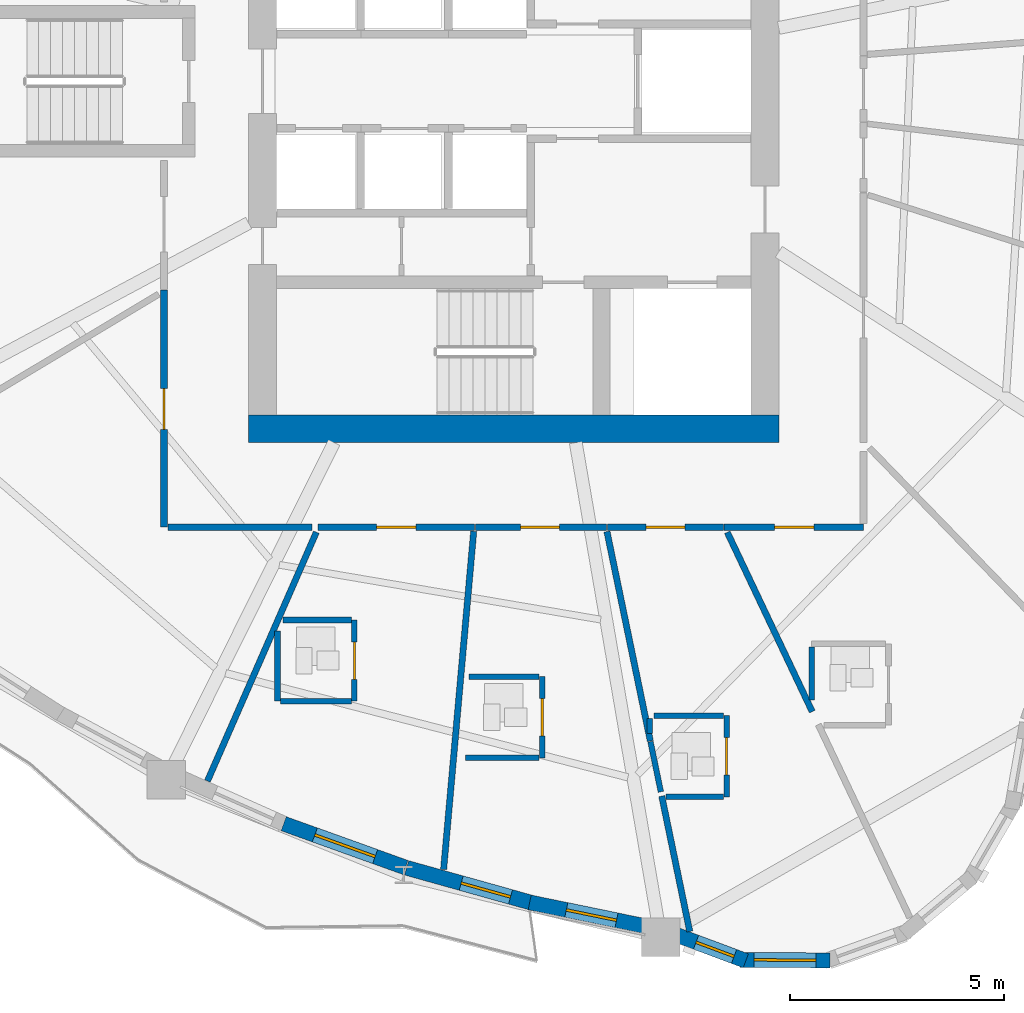
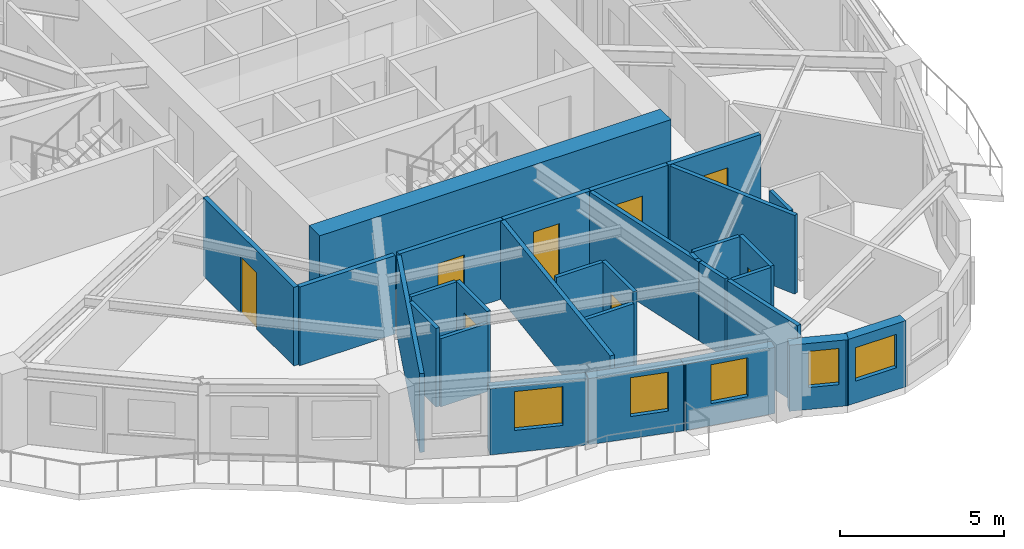
# One storey, part 6 of 16: 30 walls, 8 doors, 5 windows, 13 openings.
"""IFC4 building model written with IfcOpenShell, lengths in metres."""

from ifc_helpers import new_model, si_unit, direction, frame, frame_2d, origin, place, context, subcontext, project, spatial, rectangle, extrude, source, transform, mapped, material, layer, layer_set, type_object, element, fill, save


model = new_model("IFC4")

# Units and contexts
model_context = context("Model", 3, precision=1e-05, world=origin(), true_north=direction((0.0, 1.0)))
body_context = subcontext(model_context, "Body", "Model", "MODEL_VIEW")
ifc_project = project(units=[si_unit("LENGTHUNIT", "METRE"), si_unit("AREAUNIT", "SQUARE_METRE"), si_unit("VOLUMEUNIT", "CUBIC_METRE"), si_unit("PLANEANGLEUNIT", "RADIAN"), si_unit("MASSUNIT", "GRAM", prefix="KILO")], contexts=[model_context])

# Site, building, storey
site_placement = place(None, origin())
site = spatial("IfcSite", under=ifc_project, at=site_placement, CompositionType="ELEMENT")
building_placement = place(site_placement, origin())
building = spatial("IfcBuilding", under=site, at=building_placement, Name="Qafzar Sky-Pleat Residences", CompositionType="ELEMENT")
storey_placement = place(building_placement, frame((0.0, 0.0, 80.0)))
storey = spatial("IfcBuildingStorey", under=building, at=storey_placement, Name="L23", CompositionType="ELEMENT", Elevation=80.0)

# Wall, opening, door
ifc_material_1 = material(Name="Acoustic gypsum plasterboard partition", Category="gypsum")
ifc_layer_1 = layer(ifc_material_1, 0.159912109375)
ifc_layer_set_1 = layer_set([ifc_layer_1], Name="Acoustic gypsum plasterboard partition")
wall_type_1 = type_object("IfcWallType", Name="PART-COR-160", PredefinedType="PARTITIONING", material=ifc_layer_set_1)
wall_1_placement = place(storey_placement, frame((22.169921875, 15.570068359375, 0.0), z_axis=(0.0, 0.0, 1.0), x_axis=(0.0, 1.0, 0.0)))
wall_1 = element("IfcWall", 1, at=wall_1_placement, inside=storey, type_object=wall_type_1, Name="L23 Partition Wall PART-L23-PW-003", PredefinedType="PARTITIONING", context=body_context, shape_type="SweptSolid", body=[
    extrude(rectangle(XDim=5.54296875, YDim=0.159912109375, at=frame_2d((2.771484375, 0.0))), origin(), (0.0, 0.0, 1.0), 2.93505859375),
])
opening_1_placement = place(wall_1_placement, frame((2.282958984375, 0.0, 0.0)))
opening_1 = element("IfcOpeningElement", 2, at=opening_1_placement, cuts=wall_1, Name="Opening ID-06", PredefinedType="OPENING", context=body_context, shape_type="SweptSolid", body=[
    extrude(rectangle(XDim=0.9599609375, YDim=2.10009765625, at=frame_2d((0.47998046875, 1.050048828125))), frame((0.0, 0.08984375, 0.0), z_axis=(0.0, -1.0, 0.0), x_axis=(1.0, 0.0, 0.0)), (0.0, 0.0, 1.0), 0.179931640625),
])
ifc_material_2 = material(Name="Timber-faced fire door", Category="wood")
door_type_1 = type_object("IfcDoorType", Name="DR-STD-960", OperationType="NOTDEFINED", PredefinedType="DOOR", material=ifc_material_2)
shared_shape_1 = source(origin(), body_context, "Body", "SweptSolid", [
    extrude(rectangle(XDim=0.9599609375, YDim=2.10009765625, at=frame_2d((0.47998046875, 1.050048828125))), frame((0.0, 0.02490234375, 0.0), z_axis=(0.0, -1.0, 0.0), x_axis=(1.0, 0.0, 0.0)), (0.0, 0.0, 1.0), 0.050048828125),
])
door_1_placement = place(opening_1_placement, origin())
door_1 = element("IfcDoor", 3, at=door_1_placement, inside=storey, type_object=door_type_1, Name="L23 Scholar Co-Working Workspace Door", OperationType="SINGLE_SWING_LEFT", OverallHeight=2.10009765625, OverallWidth=0.9599609375, PredefinedType="DOOR", context=body_context, shape_type="MappedRepresentation", body=[
    mapped(shared_shape_1, transform((0.0, 0.0, 0.0), x_axis=(1.0, 0.0, 0.0), y_axis=(0.0, 1.0, 0.0), z_axis=(0.0, 0.0, 1.0), scale=1.0)),
])
fill(opening_1, door_1)

wall_2_placement = place(storey_placement, frame((29.43798828125, 15.570068359375, 0.0), z_axis=(0.0, 0.0, 1.0), x_axis=(-1.0, 0.0, 0.0)))
wall_2 = element("IfcWall", 4, at=wall_2_placement, inside=storey, type_object=wall_type_1, Name="L23 Partition Wall PART-L23-PW-009", PredefinedType="PARTITIONING", context=body_context, shape_type="SweptSolid", body=[
    extrude(rectangle(XDim=3.669921875, YDim=0.159912109375, at=frame_2d((1.8349609375, 0.0))), origin(), (0.0, 0.0, 1.0), 2.93505859375),
])
opening_2_placement = place(wall_2_placement, frame((1.3740234375, 0.0, 0.0)))
opening_2 = element("IfcOpeningElement", 5, at=opening_2_placement, cuts=wall_2, Name="Opening ID-04", PredefinedType="OPENING", context=body_context, shape_type="SweptSolid", body=[
    extrude(rectangle(XDim=0.919921875, YDim=2.10009765625, at=frame_2d((0.4599609375, 1.050048828125))), frame((0.0, 0.08984375, 0.0), z_axis=(0.0, -1.0, 0.0), x_axis=(1.0, 0.0, 0.0)), (0.0, 0.0, 1.0), 0.179931640625),
])
door_type_2 = type_object("IfcDoorType", Name="DR-BED-920", OperationType="NOTDEFINED", PredefinedType="DOOR", material=ifc_material_2)
shared_shape_2 = source(origin(), body_context, "Body", "SweptSolid", [
    extrude(rectangle(XDim=0.919921875, YDim=2.10009765625, at=frame_2d((0.4599609375, 1.050048828125))), frame((0.0, 0.02490234375, 0.0), z_axis=(0.0, -1.0, 0.0), x_axis=(1.0, 0.0, 0.0)), (0.0, 0.0, 1.0), 0.050048828125),
])
door_2_placement = place(opening_2_placement, origin())
door_2 = element("IfcDoor", 6, at=door_2_placement, inside=storey, type_object=door_type_2, Name="L23 Co-Living Bedroom 1 Door", OperationType="SINGLE_SWING_RIGHT", OverallHeight=2.10009765625, OverallWidth=0.919921875, PredefinedType="DOOR", context=body_context, shape_type="MappedRepresentation", body=[
    mapped(shared_shape_2, transform((0.0, 0.0, 0.0), x_axis=(1.0, 0.0, 0.0), y_axis=(0.0, 1.0, 0.0), z_axis=(0.0, 0.0, 1.0), scale=1.0)),
])
fill(opening_2, door_2)

wall_3_placement = place(storey_placement, frame((38.530029296875, 15.570068359375, 0.0), z_axis=(0.0, 0.0, 1.0), x_axis=(-1.0, 0.0, 0.0)))
wall_3 = element("IfcWall", 7, at=wall_3_placement, inside=storey, type_object=wall_type_1, Name="L23 Partition Wall PART-L23-PW-011", PredefinedType="PARTITIONING", context=body_context, shape_type="SweptSolid", body=[
    extrude(rectangle(XDim=3.257080078125, YDim=0.159912109375, at=frame_2d((1.62841796875, 0.0))), origin(), (0.0, 0.0, 1.0), 2.93505859375),
])
opening_3_placement = place(wall_3_placement, frame((1.159912109375, 0.0, 0.0)))
opening_3 = element("IfcOpeningElement", 8, at=opening_3_placement, cuts=wall_3, Name="Opening ID-04", PredefinedType="OPENING", context=body_context, shape_type="SweptSolid", body=[
    extrude(rectangle(XDim=0.919921875, YDim=2.10009765625, at=frame_2d((0.4599609375, 1.050048828125))), frame((0.0, 0.08984375, 0.0), z_axis=(0.0, -1.0, 0.0), x_axis=(1.0, 0.0, 0.0)), (0.0, 0.0, 1.0), 0.179931640625),
])
door_3_placement = place(opening_3_placement, origin())
door_3 = element("IfcDoor", 9, at=door_3_placement, inside=storey, type_object=door_type_2, Name="L23 Co-Living Bedroom 4 Door", OperationType="SINGLE_SWING_RIGHT", OverallHeight=2.10009765625, OverallWidth=0.919921875, PredefinedType="DOOR", context=body_context, shape_type="MappedRepresentation", body=[
    mapped(shared_shape_2, transform((0.0, 0.0, 0.0), x_axis=(1.0, 0.0, 0.0), y_axis=(0.0, 1.0, 0.0), z_axis=(0.0, 0.0, 1.0), scale=1.0)),
])
fill(opening_3, door_3)

wall_4_placement = place(storey_placement, frame((32.52490234375, 15.570068359375, 0.0), z_axis=(0.0, 0.0, 1.0), x_axis=(-1.0, 0.0, 0.0)))
wall_4 = element("IfcWall", 10, at=wall_4_placement, inside=storey, type_object=wall_type_1, Name="L23 Partition Wall PART-L23-PW-013", PredefinedType="PARTITIONING", context=body_context, shape_type="SweptSolid", body=[
    extrude(rectangle(XDim=3.072021484375, YDim=0.159912109375, at=frame_2d((1.5361328125, 0.0))), origin(), (0.0, 0.0, 1.0), 2.93505859375),
])
opening_4_placement = place(wall_4_placement, frame((1.098388671875, 0.0, 0.0)))
opening_4 = element("IfcOpeningElement", 11, at=opening_4_placement, cuts=wall_4, Name="Opening ID-04", PredefinedType="OPENING", context=body_context, shape_type="SweptSolid", body=[
    extrude(rectangle(XDim=0.919921875, YDim=2.10009765625, at=frame_2d((0.4599609375, 1.050048828125))), frame((0.0, 0.08984375, 0.0), z_axis=(0.0, -1.0, 0.0), x_axis=(1.0, 0.0, 0.0)), (0.0, 0.0, 1.0), 0.179931640625),
])
door_4_placement = place(opening_4_placement, origin())
door_4 = element("IfcDoor", 12, at=door_4_placement, inside=storey, type_object=door_type_2, Name="L23 Co-Living Bedroom 2 Door", OperationType="SINGLE_SWING_LEFT", OverallHeight=2.10009765625, OverallWidth=0.919921875, PredefinedType="DOOR", context=body_context, shape_type="MappedRepresentation", body=[
    mapped(shared_shape_2, transform((0.0, 0.0, 0.0), x_axis=(1.0, 0.0, 0.0), y_axis=(0.0, 1.0, 0.0), z_axis=(0.0, 0.0, 1.0), scale=1.0)),
])
fill(opening_4, door_4)

wall_5_placement = place(storey_placement, frame((35.258056640625, 15.570068359375, 0.0), z_axis=(0.0, 0.0, 1.0), x_axis=(-1.0, 0.0, 0.0)))
wall_5 = element("IfcWall", 13, at=wall_5_placement, inside=storey, type_object=wall_type_1, Name="L23 Partition Wall PART-L23-PW-016", PredefinedType="PARTITIONING", context=body_context, shape_type="SweptSolid", body=[
    extrude(rectangle(XDim=2.718017578125, YDim=0.159912109375, at=frame_2d((1.35888671875, 0.0))), origin(), (0.0, 0.0, 1.0), 2.93505859375),
])
opening_5_placement = place(wall_5_placement, frame((0.89794921875, 0.0, 0.0)))
opening_5 = element("IfcOpeningElement", 14, at=opening_5_placement, cuts=wall_5, Name="Opening ID-04", PredefinedType="OPENING", context=body_context, shape_type="SweptSolid", body=[
    extrude(rectangle(XDim=0.919921875, YDim=2.10009765625, at=frame_2d((0.4599609375, 1.050048828125))), frame((0.0, 0.08984375, 0.0), z_axis=(0.0, -1.0, 0.0), x_axis=(1.0, 0.0, 0.0)), (0.0, 0.0, 1.0), 0.179931640625),
])
door_5_placement = place(opening_5_placement, origin())
door_5 = element("IfcDoor", 15, at=door_5_placement, inside=storey, type_object=door_type_2, Name="L23 Co-Living Bedroom 3 Door", OperationType="SINGLE_SWING_RIGHT", OverallHeight=2.10009765625, OverallWidth=0.919921875, PredefinedType="DOOR", context=body_context, shape_type="MappedRepresentation", body=[
    mapped(shared_shape_2, transform((0.0, 0.0, 0.0), x_axis=(1.0, 0.0, 0.0), y_axis=(0.0, 1.0, 0.0), z_axis=(0.0, 0.0, 1.0), scale=1.0)),
])
fill(opening_5, door_5)

# Walls
wall_6_placement = place(storey_placement, frame((22.258056640625, 15.570068359375, 0.0), z_axis=(0.0, 0.0, 1.0), x_axis=(1.0, 0.0, 0.0)))
element("IfcWall", 16, at=wall_6_placement, inside=storey, type_object=wall_type_1, Name="L23 Partition Wall PART-L23-PW-043", PredefinedType="PARTITIONING", context=body_context, shape_type="SweptSolid", body=[
    extrude(rectangle(XDim=3.372802734375, YDim=0.159912109375, at=frame_2d((1.6865234375, 0.0))), origin(), (0.0, 0.0, 1.0), 2.93505859375),
])
ifc_layer_2 = layer(ifc_material_1, 0.14501953125)
ifc_layer_set_2 = layer_set([ifc_layer_2], Name="Acoustic gypsum plasterboard partition")
wall_type_2 = type_object("IfcWallType", Name="PART-UNIT-145", PredefinedType="PARTITIONING", material=ifc_layer_set_2)
wall_7_placement = place(storey_placement, frame((28.710693359375, 7.56396484375, 0.0), z_axis=(0.0, 0.0, 1.0), x_axis=(0.088615013812, 0.996065951294, 0.0)))
element("IfcWall", 17, at=wall_7_placement, inside=storey, type_object=wall_type_2, Name="L23 Partition Wall PART-L23-PW-028", PredefinedType="PARTITIONING", context=body_context, shape_type="SweptSolid", body=[
    extrude(rectangle(XDim=7.94287109375, YDim=0.14501953125, at=frame_2d((3.971435546875, 0.0))), origin(), (0.0, 0.0, 1.0), 2.93505859375),
])
wall_8_placement = place(storey_placement, frame((23.186279296875, 9.633544921875, 0.0), z_axis=(0.0, 0.0, 1.0), x_axis=(0.400994208685, 0.916080588486, 0.0)))
element("IfcWall", 18, at=wall_8_placement, inside=storey, type_object=wall_type_2, Name="L23 Partition Wall PART-L23-PW-033", PredefinedType="PARTITIONING", context=body_context, shape_type="SweptSolid", body=[
    extrude(rectangle(XDim=6.353271484375, YDim=0.14501953125, at=frame_2d((3.1767578125, 0.0))), origin(), (0.0, 0.0, 1.0), 2.93505859375),
])
wall_9_placement = place(storey_placement, frame((32.53125, 15.467529296875, 0.0), z_axis=(0.0, 0.0, 1.0), x_axis=(0.202792769077, -0.979221677053, 0.0)))
element("IfcWall", 19, at=wall_9_placement, inside=storey, type_object=wall_type_2, Name="L23 Partition Wall PART-L23-PW-038", PredefinedType="PARTITIONING", context=body_context, shape_type="SweptSolid", body=[
    extrude(rectangle(XDim=5.00341796875, YDim=0.14501953125, at=frame_2d((2.501708984375, 0.0))), origin(), (0.0, 0.0, 1.0), 2.93505859375),
])
wall_10_placement = place(storey_placement, frame((35.345947265625, 15.45166015625, 0.0), z_axis=(0.0, 0.0, 1.0), x_axis=(0.428023015228, -0.903767834366, 0.0)))
element("IfcWall", 20, at=wall_10_placement, inside=storey, type_object=wall_type_2, Name="L23 Partition Wall PART-L23-PW-040", PredefinedType="PARTITIONING", context=body_context, shape_type="SweptSolid", body=[
    extrude(rectangle(XDim=4.64013671875, YDim=0.14501953125, at=frame_2d((2.320068359375, 0.0))), origin(), (0.0, 0.0, 1.0), 2.93505859375),
])
wall_11_placement = place(storey_placement, frame((33.81298828125, 9.280029296875, 0.0), z_axis=(0.0, 0.0, 1.0), x_axis=(0.202648062782, -0.979251633979, 0.0)))
element("IfcWall", 21, at=wall_11_placement, inside=storey, type_object=wall_type_2, Name="L23 Partition Wall PART-L23-PW-046", PredefinedType="PARTITIONING", context=body_context, shape_type="SweptSolid", body=[
    extrude(rectangle(XDim=3.232421875, YDim=0.14501953125, at=frame_2d((1.6162109375, 0.0))), origin(), (0.0, 0.0, 1.0), 2.93505859375),
])

# Wall, opening, door
ifc_material_3 = material(Name="Moisture-resistant gypsum partition", Category="gypsum")
ifc_layer_3 = layer(ifc_material_3, 0.1298828125)
ifc_layer_set_3 = layer_set([ifc_layer_3], Name="Moisture-resistant gypsum partition")
wall_type_3 = type_object("IfcWallType", Name="PART-WET-130", PredefinedType="PARTITIONING", material=ifc_layer_set_3)
wall_12_placement = place(storey_placement, frame((26.625, 11.5, 0.0), z_axis=(0.0, 0.0, 1.0), x_axis=(0.0, 1.0, 0.0)))
wall_12 = element("IfcWall", 22, at=wall_12_placement, inside=storey, type_object=wall_type_3, Name="L23 Partition Wall PART-L23-PW-018", PredefinedType="PARTITIONING", context=body_context, shape_type="SweptSolid", body=[
    extrude(rectangle(XDim=1.89990234375, YDim=0.1298828125, at=frame_2d((0.949951171875, 0.0))), origin(), (0.0, 0.0, 1.0), 2.93505859375),
])
opening_6_placement = place(wall_12_placement, frame((0.510009765625, 0.0, 0.0)))
opening_6 = element("IfcOpeningElement", 23, at=opening_6_placement, cuts=wall_12, Name="Opening ID-07", PredefinedType="OPENING", context=body_context, shape_type="SweptSolid", body=[
    extrude(rectangle(XDim=0.8798828125, YDim=2.050048828125, at=frame_2d((0.43994140625, 1.02490234375))), frame((0.0, 0.074951171875, 0.0), z_axis=(0.0, -1.0, 0.0), x_axis=(1.0, 0.0, 0.0)), (0.0, 0.0, 1.0), 0.14990234375),
])
door_type_3 = type_object("IfcDoorType", Name="DR-WET-880", OperationType="NOTDEFINED", PredefinedType="DOOR", material=ifc_material_2)
shared_shape_3 = source(origin(), body_context, "Body", "SweptSolid", [
    extrude(rectangle(XDim=0.8798828125, YDim=2.050048828125, at=frame_2d((0.43994140625, 1.02490234375))), frame((0.0, 0.02490234375, 0.0), z_axis=(0.0, -1.0, 0.0), x_axis=(1.0, 0.0, 0.0)), (0.0, 0.0, 1.0), 0.050048828125),
])
door_6_placement = place(opening_6_placement, origin())
door_6 = element("IfcDoor", 24, at=door_6_placement, inside=storey, type_object=door_type_3, Name="L23 En-suite Bathroom 1 Door", OperationType="SINGLE_SWING_RIGHT", OverallHeight=2.050048828125, OverallWidth=0.8798828125, PredefinedType="DOOR", context=body_context, shape_type="MappedRepresentation", body=[
    mapped(shared_shape_3, transform((0.0, 0.0, 0.0), x_axis=(1.0, 0.0, 0.0), y_axis=(0.0, 1.0, 0.0), z_axis=(0.0, 0.0, 1.0), scale=1.0)),
])
fill(opening_6, door_6)

wall_13_placement = place(storey_placement, frame((31.01806640625, 10.174072265625, 0.0), z_axis=(0.0, 0.0, 1.0), x_axis=(0.0, 1.0, 0.0)))
wall_13 = element("IfcWall", 25, at=wall_13_placement, inside=storey, type_object=wall_type_3, Name="L23 Partition Wall PART-L23-PW-019", PredefinedType="PARTITIONING", context=body_context, shape_type="SweptSolid", body=[
    extrude(rectangle(XDim=1.89990234375, YDim=0.1298828125, at=frame_2d((0.949951171875, 0.0))), origin(), (0.0, 0.0, 1.0), 2.93505859375),
])
opening_7_placement = place(wall_13_placement, frame((0.510009765625, 0.0, 0.0)))
opening_7 = element("IfcOpeningElement", 26, at=opening_7_placement, cuts=wall_13, Name="Opening ID-07", PredefinedType="OPENING", context=body_context, shape_type="SweptSolid", body=[
    extrude(rectangle(XDim=0.8798828125, YDim=2.050048828125, at=frame_2d((0.43994140625, 1.02490234375))), frame((0.0, 0.074951171875, 0.0), z_axis=(0.0, -1.0, 0.0), x_axis=(1.0, 0.0, 0.0)), (0.0, 0.0, 1.0), 0.14990234375),
])
door_7_placement = place(opening_7_placement, origin())
door_7 = element("IfcDoor", 27, at=door_7_placement, inside=storey, type_object=door_type_3, Name="L23 En-suite Bathroom 2 Door", OperationType="SINGLE_SWING_LEFT", OverallHeight=2.050048828125, OverallWidth=0.8798828125, PredefinedType="DOOR", context=body_context, shape_type="MappedRepresentation", body=[
    mapped(shared_shape_3, transform((0.0, 0.0, 0.0), x_axis=(1.0, 0.0, 0.0), y_axis=(0.0, 1.0, 0.0), z_axis=(0.0, 0.0, 1.0), scale=1.0)),
])
fill(opening_7, door_7)

wall_14_placement = place(storey_placement, frame((35.3310546875, 9.264892578125, 0.0), z_axis=(0.0, 0.0, 1.0), x_axis=(0.0, 1.0, 0.0)))
wall_14 = element("IfcWall", 28, at=wall_14_placement, inside=storey, type_object=wall_type_3, Name="L23 Partition Wall PART-L23-PW-021", PredefinedType="PARTITIONING", context=body_context, shape_type="SweptSolid", body=[
    extrude(rectangle(XDim=1.900146484375, YDim=0.1298828125, at=frame_2d((0.9501953125, 0.0))), origin(), (0.0, 0.0, 1.0), 2.93505859375),
])
opening_8_placement = place(wall_14_placement, frame((0.510009765625, 0.0, 0.0)))
opening_8 = element("IfcOpeningElement", 29, at=opening_8_placement, cuts=wall_14, Name="Opening ID-07", PredefinedType="OPENING", context=body_context, shape_type="SweptSolid", body=[
    extrude(rectangle(XDim=0.8798828125, YDim=2.050048828125, at=frame_2d((0.43994140625, 1.02490234375))), frame((0.0, 0.074951171875, 0.0), z_axis=(0.0, -1.0, 0.0), x_axis=(1.0, 0.0, 0.0)), (0.0, 0.0, 1.0), 0.14990234375),
])
door_8_placement = place(opening_8_placement, origin())
door_8 = element("IfcDoor", 30, at=door_8_placement, inside=storey, type_object=door_type_3, Name="L23 En-suite Bathroom 3 Door", OperationType="SINGLE_SWING_LEFT", OverallHeight=2.050048828125, OverallWidth=0.8798828125, PredefinedType="DOOR", context=body_context, shape_type="MappedRepresentation", body=[
    mapped(shared_shape_3, transform((0.0, 0.0, 0.0), x_axis=(1.0, 0.0, 0.0), y_axis=(0.0, 1.0, 0.0), z_axis=(0.0, 0.0, 1.0), scale=1.0)),
])
fill(opening_8, door_8)

# Walls
wall_15_placement = place(storey_placement, frame((24.824951171875, 11.5, 0.0), z_axis=(0.0, 0.0, 1.0), x_axis=(0.0, 1.0, 0.0)))
element("IfcWall", 31, at=wall_15_placement, inside=storey, type_object=wall_type_3, Name="L23 Partition Wall PART-L23-PW-050", PredefinedType="PARTITIONING", context=body_context, shape_type="SweptSolid", body=[
    extrude(rectangle(XDim=1.636962890625, YDim=0.1298828125, at=frame_2d((0.818359375, 0.0))), origin(), (0.0, 0.0, 1.0), 2.93505859375),
])
wall_16_placement = place(storey_placement, frame((33.62646484375, 11.1650390625, 0.0), z_axis=(0.0, 0.0, 1.0), x_axis=(1.0, 0.0, 0.0)))
element("IfcWall", 32, at=wall_16_placement, inside=storey, type_object=wall_type_3, Name="L23 Partition Wall PART-L23-PW-051", PredefinedType="PARTITIONING", context=body_context, shape_type="SweptSolid", body=[
    extrude(rectangle(XDim=1.631591796875, YDim=0.1298828125, at=frame_2d((0.81591796875, 0.0))), origin(), (0.0, 0.0, 1.0), 2.93505859375),
])
wall_17_placement = place(storey_placement, frame((24.89794921875, 11.5, 0.0), z_axis=(0.0, 0.0, 1.0), x_axis=(1.0, 0.0, 0.0)))
element("IfcWall", 33, at=wall_17_placement, inside=storey, type_object=wall_type_3, Name="L23 Partition Wall PART-L23-PW-052", PredefinedType="PARTITIONING", context=body_context, shape_type="SweptSolid", body=[
    extrude(rectangle(XDim=1.654052734375, YDim=0.1298828125, at=frame_2d((0.8271484375, 0.0))), origin(), (0.0, 0.0, 1.0), 2.54296875),
])
wall_18_placement = place(storey_placement, frame((29.3046875, 12.073974609375, 0.0), z_axis=(0.0, 0.0, 1.0), x_axis=(1.0, 0.0, 0.0)))
element("IfcWall", 34, at=wall_18_placement, inside=storey, type_object=wall_type_3, Name="L23 Partition Wall PART-L23-PW-053", PredefinedType="PARTITIONING", context=body_context, shape_type="SweptSolid", body=[
    extrude(rectangle(XDim=1.640380859375, YDim=0.1298828125, at=frame_2d((0.8203125, 0.0))), origin(), (0.0, 0.0, 1.0), 2.93505859375),
])
wall_19_placement = place(storey_placement, frame((29.218017578125, 10.174072265625, 0.0), z_axis=(0.0, 0.0, 1.0), x_axis=(1.0, 0.0, 0.0)))
element("IfcWall", 35, at=wall_19_placement, inside=storey, type_object=wall_type_3, Name="L23 Partition Wall PART-L23-PW-054", PredefinedType="PARTITIONING", context=body_context, shape_type="SweptSolid", body=[
    extrude(rectangle(XDim=1.72705078125, YDim=0.1298828125, at=frame_2d((0.863525390625, 0.0))), origin(), (0.0, 0.0, 1.0), 2.54296875),
])
wall_20_placement = place(storey_placement, frame((24.95068359375, 13.39990234375, 0.0), z_axis=(0.0, 0.0, 1.0), x_axis=(1.0, 0.0, 0.0)))
element("IfcWall", 36, at=wall_20_placement, inside=storey, type_object=wall_type_3, Name="L23 Partition Wall PART-L23-PW-058", PredefinedType="PARTITIONING", context=body_context, shape_type="SweptSolid", body=[
    extrude(rectangle(XDim=1.601318359375, YDim=0.1298828125, at=frame_2d((0.80078125, 0.0))), origin(), (0.0, 0.0, 1.0), 2.93505859375),
])
wall_21_placement = place(storey_placement, frame((37.31689453125, 11.530029296875, 0.0), z_axis=(0.0, 0.0, 1.0), x_axis=(0.0, 1.0, 0.0)))
element("IfcWall", 37, at=wall_21_placement, inside=storey, type_object=wall_type_3, Name="L23 Partition Wall PART-L23-PW-060", PredefinedType="PARTITIONING", context=body_context, shape_type="SweptSolid", body=[
    extrude(rectangle(XDim=1.236083984375, YDim=0.1298828125, at=frame_2d((0.6181640625, 0.0))), origin(), (0.0, 0.0, 1.0), 2.93505859375),
])
wall_22_placement = place(storey_placement, frame((33.91162109375, 9.264892578125, 0.0), z_axis=(0.0, 0.0, 1.0), x_axis=(1.0, 0.0, 0.0)))
element("IfcWall", 38, at=wall_22_placement, inside=storey, type_object=wall_type_3, Name="L23 Partition Wall PART-L23-PW-061", PredefinedType="PARTITIONING", context=body_context, shape_type="SweptSolid", body=[
    extrude(rectangle(XDim=1.346435546875, YDim=0.1298828125, at=frame_2d((0.67333984375, 0.0))), origin(), (0.0, 0.0, 1.0), 2.93505859375),
])
wall_23_placement = place(storey_placement, frame((33.549072265625, 10.55322265625, 0.0), z_axis=(0.0, 0.0, 1.0), x_axis=(0.202855035592, -0.97920877985, 0.0)))
element("IfcWall", 39, at=wall_23_placement, inside=storey, type_object=wall_type_3, Name="L23 Partition Wall PART-L23-PW-067", PredefinedType="PARTITIONING", context=body_context, shape_type="SweptSolid", body=[
    extrude(rectangle(XDim=1.197509765625, YDim=0.1298828125, at=frame_2d((0.5986328125, 0.0))), origin(), (0.0, 0.0, 1.0), 2.93505859375),
])
wall_24_placement = place(storey_placement, frame((33.531005859375, 10.741943359375, 0.0), z_axis=(0.0, 0.0, 1.0), x_axis=(0.0, 1.0, 0.0)))
element("IfcWall", 40, at=wall_24_placement, inside=storey, type_object=wall_type_3, Name="L23 Partition Wall PART-L23-PW-071", PredefinedType="PARTITIONING", context=body_context, shape_type="SweptSolid", body=[
    extrude(rectangle(XDim=0.35009765625, YDim=0.1298828125, at=frame_2d((0.175048828125, 0.0))), origin(), (0.0, 0.0, 1.0), 2.93505859375),
])

# Wall, opening, window
ifc_material_4 = material(Name="Precast concrete C40/50 with honed Riyadh limestone", Category="concrete")
ifc_layer_4 = layer(ifc_material_4, 0.35009765625)
ifc_layer_set_4 = layer_set([ifc_layer_4], Name="Precast concrete C40/50 with honed Riyadh limestone")
wall_type_4 = type_object("IfcWallType", Name="WALL-EXT-350", PredefinedType="SOLIDWALL", material=ifc_layer_set_4)
wall_25_placement = place(storey_placement, frame((24.968994140625, 8.634765625, 0.0), z_axis=(0.0, 0.0, 1.0), x_axis=(0.941099972293, -0.338128440315, 0.0)))
wall_25 = element("IfcWall", 41, at=wall_25_placement, inside=storey, type_object=wall_type_4, Name="L23 Limestone Facade Wall 14", PredefinedType="SOLIDWALL", context=body_context, shape_type="SweptSolid", body=[
    extrude(rectangle(XDim=3.0283203125, YDim=0.35009765625, at=frame_2d((1.51416015625, 0.0))), origin(), (0.0, 0.0, 1.0), 2.465087890625),
])
opening_9_placement = place(wall_25_placement, frame((0.774169921875, 0.0, 0.820068359375)))
opening_9 = element("IfcOpeningElement", 42, at=opening_9_placement, cuts=wall_25, Name="Opening WN-03", PredefinedType="OPENING", context=body_context, shape_type="SweptSolid", body=[
    extrude(rectangle(XDim=1.5, YDim=1.449951171875, at=frame_2d((0.75, 0.72509765625))), frame((0.0, 0.18505859375, 0.0), z_axis=(0.0, -1.0, 0.0), x_axis=(1.0, 0.0, 0.0)), (0.0, 0.0, 1.0), 0.3701171875),
])
ifc_material_5 = material(Name="Solar-control low-E glass in bronze aluminium frame", Category="glass")
window_type_1 = type_object("IfcWindowType", Name="WIN-03", PartitioningType="DOUBLE_PANEL_VERTICAL", PredefinedType="WINDOW", material=ifc_material_5)
shared_shape_4 = source(origin(), body_context, "Body", "SweptSolid", [
    extrude(rectangle(XDim=1.5, YDim=1.449951171875, at=frame_2d((0.75, 0.72509765625))), frame((0.0, 0.030029296875, 0.0), z_axis=(0.0, -1.0, 0.0), x_axis=(1.0, 0.0, 0.0)), (0.0, 0.0, 1.0), 0.06005859375),
])
window_1_placement = place(opening_9_placement, origin())
window_1 = element("IfcWindow", 43, at=window_1_placement, inside=storey, type_object=window_type_1, Name="L23 Punched Facade Window 14", OverallHeight=1.449951171875, OverallWidth=1.5, PartitioningType="SINGLE_PANEL", PredefinedType="WINDOW", context=body_context, shape_type="MappedRepresentation", body=[
    mapped(shared_shape_4, transform((0.0, 0.0, 0.0), x_axis=(1.0, 0.0, 0.0), y_axis=(0.0, 1.0, 0.0), z_axis=(0.0, 0.0, 1.0), scale=1.0)),
])
fill(opening_9, window_1)

wall_26_placement = place(storey_placement, frame((27.844970703125, 7.6025390625, 0.0), z_axis=(0.0, 0.0, 1.0), x_axis=(0.963041412051, -0.269353371382, 0.0)))
wall_26 = element("IfcWall", 44, at=wall_26_placement, inside=storey, type_object=wall_type_4, Name="L23 Limestone Facade Wall 15", PredefinedType="SOLIDWALL", context=body_context, shape_type="SweptSolid", body=[
    extrude(rectangle(XDim=3.078125, YDim=0.35009765625, at=frame_2d((1.5390625, 0.0))), origin(), (0.0, 0.0, 1.0), 2.465087890625),
])
opening_10_placement = place(wall_26_placement, frame((1.32421875, 0.0, 0.820068359375)))
opening_10 = element("IfcOpeningElement", 45, at=opening_10_placement, cuts=wall_26, Name="Opening WN-05", PredefinedType="OPENING", context=body_context, shape_type="SweptSolid", body=[
    extrude(rectangle(XDim=1.199951171875, YDim=1.449951171875, at=frame_2d((0.60009765625, 0.72509765625))), frame((0.0, 0.18505859375, 0.0), z_axis=(0.0, -1.0, 0.0), x_axis=(1.0, 0.0, 0.0)), (0.0, 0.0, 1.0), 0.3701171875),
])
window_type_2 = type_object("IfcWindowType", Name="WIN-05", PartitioningType="SINGLE_PANEL", PredefinedType="WINDOW", material=ifc_material_5)
shared_shape_5 = source(origin(), body_context, "Body", "SweptSolid", [
    extrude(rectangle(XDim=1.199951171875, YDim=1.449951171875, at=frame_2d((0.60009765625, 0.72509765625))), frame((0.0, 0.030029296875, 0.0), z_axis=(0.0, -1.0, 0.0), x_axis=(1.0, 0.0, 0.0)), (0.0, 0.0, 1.0), 0.06005859375),
])
window_2_placement = place(opening_10_placement, origin())
window_2 = element("IfcWindow", 46, at=window_2_placement, inside=storey, type_object=window_type_2, Name="L23 Punched Facade Window 15-2", OverallHeight=1.449951171875, OverallWidth=1.199951171875, PartitioningType="SINGLE_PANEL", PredefinedType="WINDOW", context=body_context, shape_type="MappedRepresentation", body=[
    mapped(shared_shape_5, transform((0.0, 0.0, 0.0), x_axis=(1.0, 0.0, 0.0), y_axis=(0.0, 1.0, 0.0), z_axis=(0.0, 0.0, 1.0), scale=1.0)),
])
fill(opening_10, window_2)

wall_27_placement = place(storey_placement, frame((30.723876953125, 6.794189453125, 0.0), z_axis=(0.0, 0.0, 1.0), x_axis=(0.979439663571, -0.201737317878, 0.0)))
wall_27 = element("IfcWall", 47, at=wall_27_placement, inside=storey, type_object=wall_type_4, Name="L23 Limestone Facade Wall 16", PredefinedType="SOLIDWALL", context=body_context, shape_type="SweptSolid", body=[
    extrude(rectangle(XDim=2.938232421875, YDim=0.35009765625, at=frame_2d((1.46923828125, 0.0))), origin(), (0.0, 0.0, 1.0), 2.465087890625),
])
opening_11_placement = place(wall_27_placement, frame((0.874267578125, 0.0, 0.820068359375)))
opening_11 = element("IfcOpeningElement", 48, at=opening_11_placement, cuts=wall_27, Name="Opening WN-05", PredefinedType="OPENING", context=body_context, shape_type="SweptSolid", body=[
    extrude(rectangle(XDim=1.199951171875, YDim=1.449951171875, at=frame_2d((0.60009765625, 0.72509765625))), frame((0.0, 0.18505859375, 0.0), z_axis=(0.0, -1.0, 0.0), x_axis=(1.0, 0.0, 0.0)), (0.0, 0.0, 1.0), 0.3701171875),
])
window_3_placement = place(opening_11_placement, origin())
window_3 = element("IfcWindow", 49, at=window_3_placement, inside=storey, type_object=window_type_2, Name="L23 Punched Facade Window 16", OverallHeight=1.449951171875, OverallWidth=1.199951171875, PartitioningType="SINGLE_PANEL", PredefinedType="WINDOW", context=body_context, shape_type="MappedRepresentation", body=[
    mapped(shared_shape_5, transform((0.0, 0.0, 0.0), x_axis=(1.0, 0.0, 0.0), y_axis=(0.0, 1.0, 0.0), z_axis=(0.0, 0.0, 1.0), scale=1.0)),
])
fill(opening_11, window_3)

wall_28_placement = place(storey_placement, frame((34.05908203125, 6.06982421875, 0.0), z_axis=(0.0, 0.0, 1.0), x_axis=(0.936803747811, -0.349855310219, 0.0)))
wall_28 = element("IfcWall", 50, at=wall_28_placement, inside=storey, type_object=wall_type_4, Name="L23 Limestone Facade Wall 17", PredefinedType="SOLIDWALL", context=body_context, shape_type="SweptSolid", body=[
    extrude(rectangle(XDim=1.8359375, YDim=0.35009765625, at=frame_2d((0.91796875, 0.0))), origin(), (0.0, 0.0, 1.0), 2.465087890625),
])
opening_12_placement = place(wall_28_placement, frame((0.59326171875, 0.0, 0.820068359375)))
opening_12 = element("IfcOpeningElement", 51, at=opening_12_placement, cuts=wall_28, Name="Opening WN-12", PredefinedType="OPENING", context=body_context, shape_type="SweptSolid", body=[
    extrude(rectangle(XDim=0.949951171875, YDim=1.35009765625, at=frame_2d((0.47509765625, 0.675048828125))), frame((0.0, 0.18505859375, 0.0), z_axis=(0.0, -1.0, 0.0), x_axis=(1.0, 0.0, 0.0)), (0.0, 0.0, 1.0), 0.3701171875),
])
window_type_3 = type_object("IfcWindowType", Name="WIN-12", PartitioningType="SINGLE_PANEL", PredefinedType="WINDOW", material=ifc_material_5)
shared_shape_6 = source(origin(), body_context, "Body", "SweptSolid", [
    extrude(rectangle(XDim=0.949951171875, YDim=1.35009765625, at=frame_2d((0.47509765625, 0.675048828125))), frame((0.0, 0.030029296875, 0.0), z_axis=(0.0, -1.0, 0.0), x_axis=(1.0, 0.0, 0.0)), (0.0, 0.0, 1.0), 0.06005859375),
])
window_4_placement = place(opening_12_placement, origin())
window_4 = element("IfcWindow", 52, at=window_4_placement, inside=storey, type_object=window_type_3, Name="L23 Punched Facade Window 17", OverallHeight=1.35009765625, OverallWidth=0.949951171875, PartitioningType="SINGLE_PANEL", PredefinedType="WINDOW", context=body_context, shape_type="MappedRepresentation", body=[
    mapped(shared_shape_6, transform((0.0, 0.0, 0.0), x_axis=(1.0, 0.0, 0.0), y_axis=(0.0, 1.0, 0.0), z_axis=(0.0, 0.0, 1.0), scale=1.0)),
])
fill(opening_12, window_4)

wall_29_placement = place(storey_placement, frame((35.6455078125, 5.4521484375, 0.0), z_axis=(0.0, 0.0, 1.0), x_axis=(0.999976451414, -0.006862697526, 0.0)))
wall_29 = element("IfcWall", 53, at=wall_29_placement, inside=storey, type_object=wall_type_4, Name="L23 Limestone Facade Wall 18", PredefinedType="SOLIDWALL", context=body_context, shape_type="SweptSolid", body=[
    extrude(rectangle(XDim=2.098876953125, YDim=0.35009765625, at=frame_2d((1.04931640625, 0.0))), origin(), (0.0, 0.0, 1.0), 2.465087890625),
])
opening_13_placement = place(wall_29_placement, frame((0.324462890625, 0.0, 0.820068359375)))
opening_13 = element("IfcOpeningElement", 54, at=opening_13_placement, cuts=wall_29, Name="Opening WN-15", PredefinedType="OPENING", context=body_context, shape_type="SweptSolid", body=[
    extrude(rectangle(XDim=1.449951171875, YDim=1.25, at=frame_2d((0.72509765625, 0.625))), frame((0.0, 0.18505859375, 0.0), z_axis=(0.0, -1.0, 0.0), x_axis=(1.0, 0.0, 0.0)), (0.0, 0.0, 1.0), 0.3701171875),
])
window_type_4 = type_object("IfcWindowType", Name="WIN-15", PartitioningType="SINGLE_PANEL", PredefinedType="WINDOW", material=ifc_material_5)
shared_shape_7 = source(origin(), body_context, "Body", "SweptSolid", [
    extrude(rectangle(XDim=1.449951171875, YDim=1.25, at=frame_2d((0.72509765625, 0.625))), frame((0.0, 0.030029296875, 0.0), z_axis=(0.0, -1.0, 0.0), x_axis=(1.0, 0.0, 0.0)), (0.0, 0.0, 1.0), 0.06005859375),
])
window_5_placement = place(opening_13_placement, origin())
window_5 = element("IfcWindow", 55, at=window_5_placement, inside=storey, type_object=window_type_4, Name="L23 Punched Facade Window 18", OverallHeight=1.25, OverallWidth=1.449951171875, PartitioningType="SINGLE_PANEL", PredefinedType="WINDOW", context=body_context, shape_type="MappedRepresentation", body=[
    mapped(shared_shape_7, transform((0.0, 0.0, 0.0), x_axis=(1.0, 0.0, 0.0), y_axis=(0.0, 1.0, 0.0), z_axis=(0.0, 0.0, 1.0), scale=1.0)),
])
fill(opening_13, window_5)

# Wall
ifc_material_6 = material(Name="Concrete C60/75", Category="concrete")
ifc_layer_5 = layer(ifc_material_6, 0.64990234375)
ifc_layer_set_5 = layer_set([ifc_layer_5], Name="Concrete C60/75")
wall_type_5 = type_object("IfcWallType", Name="WALL-SHEAR-650", PredefinedType="SHEAR", material=ifc_layer_set_5)
wall_30_placement = place(storey_placement, frame((24.14990234375, 17.875, 0.0), z_axis=(0.0, 0.0, 1.0), x_axis=(1.0, 0.0, 0.0)))
element("IfcWall", 56, at=wall_30_placement, inside=storey, type_object=wall_type_5, Name="L23 CORE wall S", PredefinedType="SHEAR", context=body_context, shape_type="SweptSolid", body=[
    extrude(rectangle(XDim=12.400146484375, YDim=0.64990234375, at=frame_2d((6.2001953125, 0.0))), origin(), (0.0, 0.0, 1.0), 2.93505859375),
])

save(model, "model.ifc")
